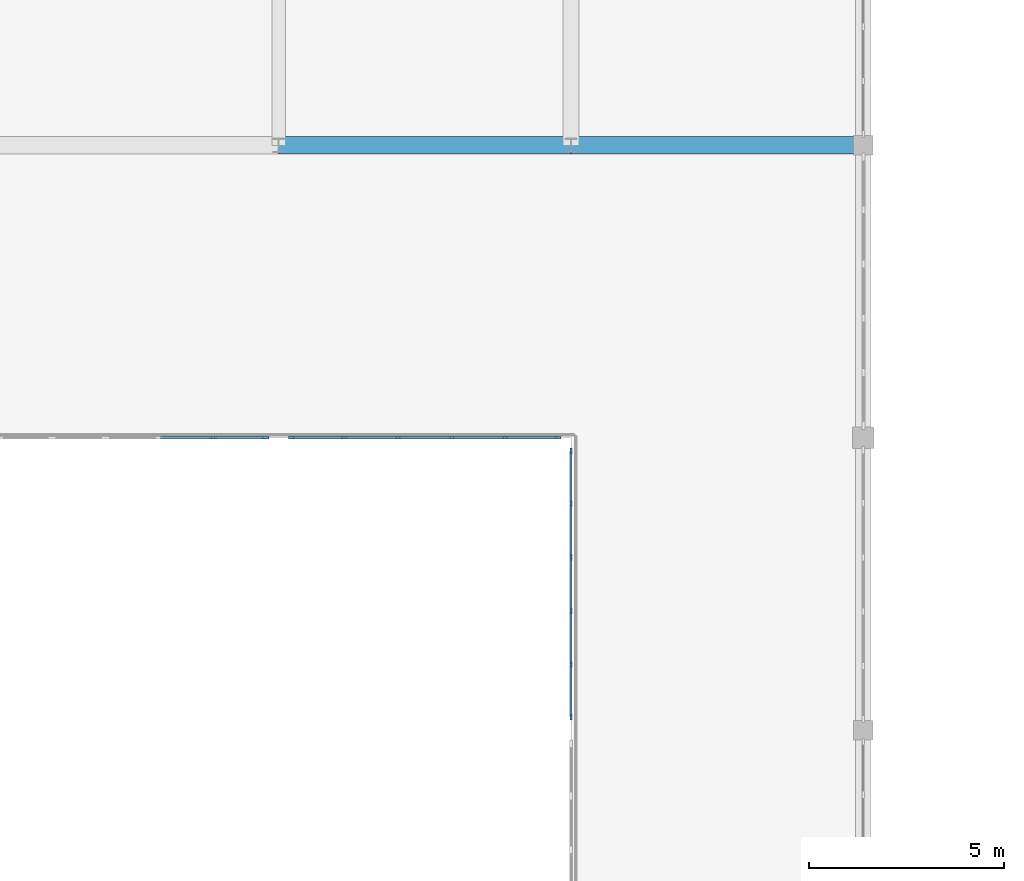
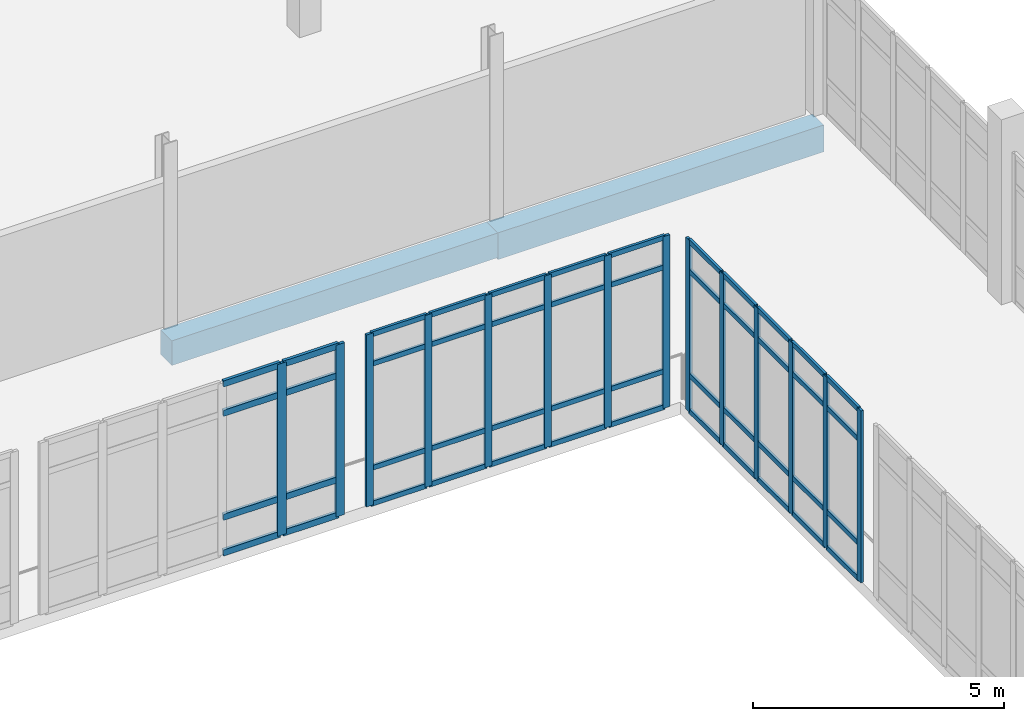
# One storey, part 41 of 128: 62 members, 2 beams, 3 elements without a shape of their own.
"""IFC4 building model written with IfcOpenShell, lengths in metres."""

from ifc_helpers import new_model, si_unit, direction, frame, origin, origin_2d, place, context, subcontext, project, spatial, rectangle, extrude, material, layer, layer_set, material_profile, profile_set, type_object, element, aggregate, save


model = new_model("IFC4")

# Units and contexts
model_context = context("Model", 3, precision=1e-05, world=origin(), true_north=direction((0.0, 1.0)))
body_context = subcontext(model_context, "Body", "Model", "MODEL_VIEW")
ifc_project = project(units=[si_unit("LENGTHUNIT", "METRE"), si_unit("AREAUNIT", "SQUARE_METRE"), si_unit("VOLUMEUNIT", "CUBIC_METRE"), si_unit("PLANEANGLEUNIT", "RADIAN"), si_unit("MASSUNIT", "GRAM", prefix="KILO")], contexts=[model_context])

# Site, building, storey
site_placement = place(None, origin())
site = spatial("IfcSite", under=ifc_project, at=site_placement, CompositionType="ELEMENT")
building_placement = place(site_placement, origin())
building = spatial("IfcBuilding", under=site, at=building_placement, Name="Dalvernix Boulevard General Hospital", CompositionType="ELEMENT")
storey_placement = place(building_placement, frame((0.0, 0.0, 4.800048828125)))
storey = spatial("IfcBuildingStorey", under=building, at=storey_placement, Name="L01", CompositionType="ELEMENT", Elevation=4.800048828125)

# Beams
ifc_material_1 = material(Name="Concrete C35/45", Category="concrete")
ifc_material_profile_1 = material_profile(ifc_material_1, rectangle(XDim=0.449951171875, YDim=0.64990234375, at=origin_2d()), Name="RCB 450x650")
ifc_profile_set_1 = profile_set([ifc_material_profile_1], Name="Concrete C35/45")
beam_type_1 = type_object("IfcBeamType", Name="BM-B-03-I", PredefinedType="BEAM", material=ifc_profile_set_1)
beam_1_placement = place(storey_placement, frame((105.0, 61.5, -0.625), z_axis=(1.0, 0.0, 0.0), x_axis=(0.0, 1.0, 0.0)))
element("IfcBeam", 1, at=beam_1_placement, inside=storey, type_object=beam_type_1, Name="L01 E-W girder J:15-16", PredefinedType="BEAM", context=body_context, shape_type="SweptSolid", body=[
    extrude(rectangle(XDim=0.449951171875, YDim=0.64990234375, at=origin_2d()), origin(), (0.0, 0.0, 1.0), 7.5),
])
ifc_material_profile_2 = material_profile(ifc_material_1, rectangle(XDim=0.449951171875, YDim=0.60009765625, at=origin_2d()), Name="RCB 450x600")
ifc_profile_set_2 = profile_set([ifc_material_profile_2], Name="Concrete C35/45")
beam_type_2 = type_object("IfcBeamType", Name="BM-B-04-I", PredefinedType="BEAM", material=ifc_profile_set_2)
beam_2_placement = place(storey_placement, frame((97.5, 61.5, -0.60009765625), z_axis=(1.0, 0.0, 0.0), x_axis=(0.0, 1.0, 0.0)))
element("IfcBeam", 2, at=beam_2_placement, inside=storey, type_object=beam_type_2, Name="L01 E-W girder J:14-15", PredefinedType="BEAM", context=body_context, shape_type="SweptSolid", body=[
    extrude(rectangle(XDim=0.449951171875, YDim=0.60009765625, at=origin_2d()), origin(), (0.0, 0.0, 1.0), 7.5),
])

# Curtain wall, members
ifc_material_2 = material(Name="Thermally broken aluminium and solar-control glass curtain wall", Category="aluminium")
ifc_layer_1 = layer(ifc_material_2, 0.159912109375)
ifc_layer_set_1 = layer_set([ifc_layer_1], Name="Thermally broken aluminium and solar-control glass curtain wall (CW-CW-A-69x42)")
curtain_wall_type_1 = type_object("IfcCurtainWallType", Name="CW-CW-A-69x42", PredefinedType="USERDEFINED", material=ifc_layer_set_1)
curtain_wall_1_placement = place(storey_placement, origin())
curtain_wall_1 = element("IfcCurtainWall", 3, at=curtain_wall_1_placement, inside=storey, type_object=curtain_wall_type_1, Name="L01 curtain wall CW-A-69x42 13-7", ObjectType="GLAZED FACADE", PredefinedType="USERDEFINED")
ifc_material_3 = material(Name="Aluminium EN AW-6060", Category="aluminium")
ifc_material_profile_3 = material_profile(ifc_material_3, rectangle(XDim=0.06005859375, YDim=0.159912109375, at=origin_2d()), Name="ALU MULL 60x160")
ifc_profile_set_3 = profile_set([ifc_material_profile_3], Name="Aluminium EN AW-6060")
member_type_1 = type_object("IfcMemberType", Name="MEM-CW-M1", PredefinedType="MULLION", material=ifc_profile_set_3)
member_1_placement = place(storey_placement, frame((104.659912109375, 54.0, 0.0), z_axis=(0.0, 0.0, 1.0), x_axis=(0.0, -1.0, 0.0)))
member_1 = element("IfcMember", 4, at=member_1_placement, type_object=member_type_1, Name="CW-A-69x42 mullion 1", PredefinedType="MULLION", context=body_context, shape_type="SweptSolid", body=[
    extrude(rectangle(XDim=0.06005859375, YDim=0.159912109375, at=origin_2d()), origin(), (0.0, 0.0, 1.0), 4.179931640625),
])
member_2_placement = place(storey_placement, frame((103.31396484375, 54.0, 0.0), z_axis=(0.0, 0.0, 1.0), x_axis=(0.0, -1.0, 0.0)))
member_2 = element("IfcMember", 5, at=member_2_placement, type_object=member_type_1, Name="CW-A-69x42 mullion 2", PredefinedType="MULLION", context=body_context, shape_type="SweptSolid", body=[
    extrude(rectangle(XDim=0.06005859375, YDim=0.159912109375, at=origin_2d()), origin(), (0.0, 0.0, 1.0), 4.179931640625),
])
member_3_placement = place(storey_placement, frame((101.93798828125, 54.0, 0.0), z_axis=(0.0, 0.0, 1.0), x_axis=(0.0, -1.0, 0.0)))
member_3 = element("IfcMember", 6, at=member_3_placement, type_object=member_type_1, Name="CW-A-69x42 mullion 3", PredefinedType="MULLION", context=body_context, shape_type="SweptSolid", body=[
    extrude(rectangle(XDim=0.06005859375, YDim=0.159912109375, at=origin_2d()), origin(), (0.0, 0.0, 1.0), 4.179931640625),
])
member_4_placement = place(storey_placement, frame((100.56201171875, 54.0, 0.0), z_axis=(0.0, 0.0, 1.0), x_axis=(0.0, -1.0, 0.0)))
member_4 = element("IfcMember", 7, at=member_4_placement, type_object=member_type_1, Name="CW-A-69x42 mullion 4", PredefinedType="MULLION", context=body_context, shape_type="SweptSolid", body=[
    extrude(rectangle(XDim=0.06005859375, YDim=0.159912109375, at=origin_2d()), origin(), (0.0, 0.0, 1.0), 4.179931640625),
])
member_5_placement = place(storey_placement, frame((99.18603515625, 54.0, 0.0), z_axis=(0.0, 0.0, 1.0), x_axis=(0.0, -1.0, 0.0)))
member_5 = element("IfcMember", 8, at=member_5_placement, type_object=member_type_1, Name="CW-A-69x42 mullion 5", PredefinedType="MULLION", context=body_context, shape_type="SweptSolid", body=[
    extrude(rectangle(XDim=0.06005859375, YDim=0.159912109375, at=origin_2d()), origin(), (0.0, 0.0, 1.0), 4.179931640625),
])
member_6_placement = place(storey_placement, frame((97.840087890625, 54.0, 0.0), z_axis=(0.0, 0.0, 1.0), x_axis=(0.0, -1.0, 0.0)))
member_6 = element("IfcMember", 9, at=member_6_placement, type_object=member_type_1, Name="CW-A-69x42 mullion 6", PredefinedType="MULLION", context=body_context, shape_type="SweptSolid", body=[
    extrude(rectangle(XDim=0.06005859375, YDim=0.159912109375, at=origin_2d()), origin(), (0.0, 0.0, 1.0), 4.179931640625),
])

curtain_wall_2_placement = place(storey_placement, origin())
curtain_wall_2 = element("IfcCurtainWall", 10, at=curtain_wall_2_placement, inside=storey, type_object=curtain_wall_type_1, Name="L01 curtain wall CW-A-69x42 14-6", ObjectType="GLAZED FACADE", PredefinedType="USERDEFINED")
member_7_placement = place(storey_placement, frame((105.0, 46.840087890625, 0.0), z_axis=(0.0, 0.0, 1.0), x_axis=(-1.0, 0.0, 0.0)))
member_7 = element("IfcMember", 11, at=member_7_placement, type_object=member_type_1, Name="CW-A-69x42 mullion 1", PredefinedType="MULLION", context=body_context, shape_type="SweptSolid", body=[
    extrude(rectangle(XDim=0.06005859375, YDim=0.159912109375, at=origin_2d()), origin(), (0.0, 0.0, 1.0), 4.179931640625),
])
member_8_placement = place(storey_placement, frame((105.0, 48.18603515625, 0.0), z_axis=(0.0, 0.0, 1.0), x_axis=(-1.0, 0.0, 0.0)))
member_8 = element("IfcMember", 12, at=member_8_placement, type_object=member_type_1, Name="CW-A-69x42 mullion 2", PredefinedType="MULLION", context=body_context, shape_type="SweptSolid", body=[
    extrude(rectangle(XDim=0.06005859375, YDim=0.159912109375, at=origin_2d()), origin(), (0.0, 0.0, 1.0), 4.179931640625),
])
member_9_placement = place(storey_placement, frame((105.0, 49.56201171875, 0.0), z_axis=(0.0, 0.0, 1.0), x_axis=(-1.0, 0.0, 0.0)))
member_9 = element("IfcMember", 13, at=member_9_placement, type_object=member_type_1, Name="CW-A-69x42 mullion 3", PredefinedType="MULLION", context=body_context, shape_type="SweptSolid", body=[
    extrude(rectangle(XDim=0.06005859375, YDim=0.159912109375, at=origin_2d()), origin(), (0.0, 0.0, 1.0), 4.179931640625),
])
member_10_placement = place(storey_placement, frame((105.0, 50.93798828125, 0.0), z_axis=(0.0, 0.0, 1.0), x_axis=(-1.0, 0.0, 0.0)))
member_10 = element("IfcMember", 14, at=member_10_placement, type_object=member_type_1, Name="CW-A-69x42 mullion 4", PredefinedType="MULLION", context=body_context, shape_type="SweptSolid", body=[
    extrude(rectangle(XDim=0.06005859375, YDim=0.159912109375, at=origin_2d()), origin(), (0.0, 0.0, 1.0), 4.179931640625),
])
member_11_placement = place(storey_placement, frame((105.0, 52.31396484375, 0.0), z_axis=(0.0, 0.0, 1.0), x_axis=(-1.0, 0.0, 0.0)))
member_11 = element("IfcMember", 15, at=member_11_placement, type_object=member_type_1, Name="CW-A-69x42 mullion 5", PredefinedType="MULLION", context=body_context, shape_type="SweptSolid", body=[
    extrude(rectangle(XDim=0.06005859375, YDim=0.159912109375, at=origin_2d()), origin(), (0.0, 0.0, 1.0), 4.179931640625),
])
member_12_placement = place(storey_placement, frame((105.0, 53.659912109375, 0.0), z_axis=(0.0, 0.0, 1.0), x_axis=(-1.0, 0.0, 0.0)))
member_12 = element("IfcMember", 16, at=member_12_placement, type_object=member_type_1, Name="CW-A-69x42 mullion 6", PredefinedType="MULLION", context=body_context, shape_type="SweptSolid", body=[
    extrude(rectangle(XDim=0.06005859375, YDim=0.159912109375, at=origin_2d()), origin(), (0.0, 0.0, 1.0), 4.179931640625),
])

ifc_layer_2 = layer(ifc_material_2, 0.199951171875)
ifc_layer_set_2 = layer_set([ifc_layer_2], Name="Thermally broken aluminium and solar-control glass curtain wall (CW-CW-C-69x42)")
curtain_wall_type_2 = type_object("IfcCurtainWallType", Name="CW-CW-C-69x42", PredefinedType="USERDEFINED", material=ifc_layer_set_2)
curtain_wall_3_placement = place(storey_placement, origin())
curtain_wall_3 = element("IfcCurtainWall", 17, at=curtain_wall_3_placement, inside=storey, type_object=curtain_wall_type_2, Name="L01 curtain wall CW-C-69x42 12-7", ObjectType="GLAZED FACADE", PredefinedType="USERDEFINED")
ifc_material_profile_4 = material_profile(ifc_material_3, rectangle(XDim=0.070068359375, YDim=0.199951171875, at=origin_2d()), Name="ALU MULL 70x200")
ifc_profile_set_4 = profile_set([ifc_material_profile_4], Name="Aluminium EN AW-6060")
member_type_2 = type_object("IfcMemberType", Name="MEM-CW-M3", PredefinedType="MULLION", material=ifc_profile_set_4)
member_13_placement = place(storey_placement, frame((97.155029296875, 54.0, 0.0), z_axis=(0.0, 0.0, 1.0), x_axis=(0.0, -1.0, 0.0)))
member_13 = element("IfcMember", 18, at=member_13_placement, type_object=member_type_2, Name="CW-C-69x42 mullion 1", PredefinedType="MULLION", context=body_context, shape_type="SweptSolid", body=[
    extrude(rectangle(XDim=0.070068359375, YDim=0.199951171875, at=origin_2d()), origin(), (0.0, 0.0, 1.0), 4.179931640625),
])
member_14_placement = place(storey_placement, frame((95.81396484375, 54.0, 0.0), z_axis=(0.0, 0.0, 1.0), x_axis=(0.0, -1.0, 0.0)))
member_14 = element("IfcMember", 19, at=member_14_placement, type_object=member_type_2, Name="CW-C-69x42 mullion 2", PredefinedType="MULLION", context=body_context, shape_type="SweptSolid", body=[
    extrude(rectangle(XDim=0.070068359375, YDim=0.199951171875, at=origin_2d()), origin(), (0.0, 0.0, 1.0), 4.179931640625),
])

# Member
ifc_material_profile_5 = material_profile(ifc_material_3, rectangle(XDim=0.06005859375, YDim=0.1201171875, at=origin_2d()), Name="ALU TRAN 60x120")
ifc_profile_set_5 = profile_set([ifc_material_profile_5], Name="Aluminium EN AW-6060")
member_type_3 = type_object("IfcMemberType", Name="MEM-CW-T1", PredefinedType="USERDEFINED", material=ifc_profile_set_5)
member_15_placement = place(storey_placement, frame((104.6298828125, 54.0, 0.030029296875), z_axis=(-1.0, 0.0, 0.0), x_axis=(0.0, -1.0, 0.0)))
member_15 = element("IfcMember", 20, at=member_15_placement, type_object=member_type_3, Name="CW-A-69x42 transom 1.1", ObjectType="TRANSOM", PredefinedType="USERDEFINED", context=body_context, shape_type="SweptSolid", body=[
    extrude(rectangle(XDim=0.06005859375, YDim=0.1201171875, at=origin_2d()), origin(), (0.0, 0.0, 1.0), 1.285888671875),
])

member_16_placement = place(storey_placement, frame((104.6298828125, 54.0, 0.89990234375), z_axis=(-1.0, 0.0, 0.0), x_axis=(0.0, -1.0, 0.0)))
member_16 = element("IfcMember", 21, at=member_16_placement, type_object=member_type_3, Name="CW-A-69x42 transom 1.2", ObjectType="TRANSOM", PredefinedType="USERDEFINED", context=body_context, shape_type="SweptSolid", body=[
    extrude(rectangle(XDim=0.06005859375, YDim=0.1201171875, at=origin_2d()), origin(), (0.0, 0.0, 1.0), 1.285888671875),
])

member_17_placement = place(storey_placement, frame((104.6298828125, 54.0, 3.429931640625), z_axis=(-1.0, 0.0, 0.0), x_axis=(0.0, -1.0, 0.0)))
member_17 = element("IfcMember", 22, at=member_17_placement, type_object=member_type_3, Name="CW-A-69x42 transom 1.3", ObjectType="TRANSOM", PredefinedType="USERDEFINED", context=body_context, shape_type="SweptSolid", body=[
    extrude(rectangle(XDim=0.06005859375, YDim=0.1201171875, at=origin_2d()), origin(), (0.0, 0.0, 1.0), 1.285888671875),
])

member_18_placement = place(storey_placement, frame((104.6298828125, 54.0, 4.14990234375), z_axis=(-1.0, 0.0, 0.0), x_axis=(0.0, -1.0, 0.0)))
member_18 = element("IfcMember", 23, at=member_18_placement, type_object=member_type_3, Name="CW-A-69x42 transom 1.4", ObjectType="TRANSOM", PredefinedType="USERDEFINED", context=body_context, shape_type="SweptSolid", body=[
    extrude(rectangle(XDim=0.06005859375, YDim=0.1201171875, at=origin_2d()), origin(), (0.0, 0.0, 1.0), 1.285888671875),
])

member_19_placement = place(storey_placement, frame((103.283935546875, 54.0, 0.030029296875), z_axis=(-1.0, 0.0, 0.0), x_axis=(0.0, -1.0, 0.0)))
member_19 = element("IfcMember", 24, at=member_19_placement, type_object=member_type_3, Name="CW-A-69x42 transom 2.1", ObjectType="TRANSOM", PredefinedType="USERDEFINED", context=body_context, shape_type="SweptSolid", body=[
    extrude(rectangle(XDim=0.06005859375, YDim=0.1201171875, at=origin_2d()), origin(), (0.0, 0.0, 1.0), 1.31591796875),
])

member_20_placement = place(storey_placement, frame((103.283935546875, 54.0, 0.89990234375), z_axis=(-1.0, 0.0, 0.0), x_axis=(0.0, -1.0, 0.0)))
member_20 = element("IfcMember", 25, at=member_20_placement, type_object=member_type_3, Name="CW-A-69x42 transom 2.2", ObjectType="TRANSOM", PredefinedType="USERDEFINED", context=body_context, shape_type="SweptSolid", body=[
    extrude(rectangle(XDim=0.06005859375, YDim=0.1201171875, at=origin_2d()), origin(), (0.0, 0.0, 1.0), 1.31591796875),
])

member_21_placement = place(storey_placement, frame((103.283935546875, 54.0, 3.429931640625), z_axis=(-1.0, 0.0, 0.0), x_axis=(0.0, -1.0, 0.0)))
member_21 = element("IfcMember", 26, at=member_21_placement, type_object=member_type_3, Name="CW-A-69x42 transom 2.3", ObjectType="TRANSOM", PredefinedType="USERDEFINED", context=body_context, shape_type="SweptSolid", body=[
    extrude(rectangle(XDim=0.06005859375, YDim=0.1201171875, at=origin_2d()), origin(), (0.0, 0.0, 1.0), 1.31591796875),
])

member_22_placement = place(storey_placement, frame((103.283935546875, 54.0, 4.14990234375), z_axis=(-1.0, 0.0, 0.0), x_axis=(0.0, -1.0, 0.0)))
member_22 = element("IfcMember", 27, at=member_22_placement, type_object=member_type_3, Name="CW-A-69x42 transom 2.4", ObjectType="TRANSOM", PredefinedType="USERDEFINED", context=body_context, shape_type="SweptSolid", body=[
    extrude(rectangle(XDim=0.06005859375, YDim=0.1201171875, at=origin_2d()), origin(), (0.0, 0.0, 1.0), 1.31591796875),
])

member_23_placement = place(storey_placement, frame((101.907958984375, 54.0, 0.030029296875), z_axis=(-1.0, 0.0, 0.0), x_axis=(0.0, -1.0, 0.0)))
member_23 = element("IfcMember", 28, at=member_23_placement, type_object=member_type_3, Name="CW-A-69x42 transom 3.1", ObjectType="TRANSOM", PredefinedType="USERDEFINED", context=body_context, shape_type="SweptSolid", body=[
    extrude(rectangle(XDim=0.06005859375, YDim=0.1201171875, at=origin_2d()), origin(), (0.0, 0.0, 1.0), 1.31591796875),
])

member_24_placement = place(storey_placement, frame((101.907958984375, 54.0, 0.89990234375), z_axis=(-1.0, 0.0, 0.0), x_axis=(0.0, -1.0, 0.0)))
member_24 = element("IfcMember", 29, at=member_24_placement, type_object=member_type_3, Name="CW-A-69x42 transom 3.2", ObjectType="TRANSOM", PredefinedType="USERDEFINED", context=body_context, shape_type="SweptSolid", body=[
    extrude(rectangle(XDim=0.06005859375, YDim=0.1201171875, at=origin_2d()), origin(), (0.0, 0.0, 1.0), 1.31591796875),
])

member_25_placement = place(storey_placement, frame((101.907958984375, 54.0, 3.429931640625), z_axis=(-1.0, 0.0, 0.0), x_axis=(0.0, -1.0, 0.0)))
member_25 = element("IfcMember", 30, at=member_25_placement, type_object=member_type_3, Name="CW-A-69x42 transom 3.3", ObjectType="TRANSOM", PredefinedType="USERDEFINED", context=body_context, shape_type="SweptSolid", body=[
    extrude(rectangle(XDim=0.06005859375, YDim=0.1201171875, at=origin_2d()), origin(), (0.0, 0.0, 1.0), 1.31591796875),
])

member_26_placement = place(storey_placement, frame((101.907958984375, 54.0, 4.14990234375), z_axis=(-1.0, 0.0, 0.0), x_axis=(0.0, -1.0, 0.0)))
member_26 = element("IfcMember", 31, at=member_26_placement, type_object=member_type_3, Name="CW-A-69x42 transom 3.4", ObjectType="TRANSOM", PredefinedType="USERDEFINED", context=body_context, shape_type="SweptSolid", body=[
    extrude(rectangle(XDim=0.06005859375, YDim=0.1201171875, at=origin_2d()), origin(), (0.0, 0.0, 1.0), 1.31591796875),
])

member_27_placement = place(storey_placement, frame((100.531982421875, 54.0, 0.030029296875), z_axis=(-1.0, 0.0, 0.0), x_axis=(0.0, -1.0, 0.0)))
member_27 = element("IfcMember", 32, at=member_27_placement, type_object=member_type_3, Name="CW-A-69x42 transom 4.1", ObjectType="TRANSOM", PredefinedType="USERDEFINED", context=body_context, shape_type="SweptSolid", body=[
    extrude(rectangle(XDim=0.06005859375, YDim=0.1201171875, at=origin_2d()), origin(), (0.0, 0.0, 1.0), 1.31591796875),
])

member_28_placement = place(storey_placement, frame((100.531982421875, 54.0, 0.89990234375), z_axis=(-1.0, 0.0, 0.0), x_axis=(0.0, -1.0, 0.0)))
member_28 = element("IfcMember", 33, at=member_28_placement, type_object=member_type_3, Name="CW-A-69x42 transom 4.2", ObjectType="TRANSOM", PredefinedType="USERDEFINED", context=body_context, shape_type="SweptSolid", body=[
    extrude(rectangle(XDim=0.06005859375, YDim=0.1201171875, at=origin_2d()), origin(), (0.0, 0.0, 1.0), 1.31591796875),
])

member_29_placement = place(storey_placement, frame((100.531982421875, 54.0, 3.429931640625), z_axis=(-1.0, 0.0, 0.0), x_axis=(0.0, -1.0, 0.0)))
member_29 = element("IfcMember", 34, at=member_29_placement, type_object=member_type_3, Name="CW-A-69x42 transom 4.3", ObjectType="TRANSOM", PredefinedType="USERDEFINED", context=body_context, shape_type="SweptSolid", body=[
    extrude(rectangle(XDim=0.06005859375, YDim=0.1201171875, at=origin_2d()), origin(), (0.0, 0.0, 1.0), 1.31591796875),
])

member_30_placement = place(storey_placement, frame((100.531982421875, 54.0, 4.14990234375), z_axis=(-1.0, 0.0, 0.0), x_axis=(0.0, -1.0, 0.0)))
member_30 = element("IfcMember", 35, at=member_30_placement, type_object=member_type_3, Name="CW-A-69x42 transom 4.4", ObjectType="TRANSOM", PredefinedType="USERDEFINED", context=body_context, shape_type="SweptSolid", body=[
    extrude(rectangle(XDim=0.06005859375, YDim=0.1201171875, at=origin_2d()), origin(), (0.0, 0.0, 1.0), 1.31591796875),
])

member_31_placement = place(storey_placement, frame((99.156005859375, 54.0, 0.030029296875), z_axis=(-1.0, 0.0, 0.0), x_axis=(0.0, -1.0, 0.0)))
member_31 = element("IfcMember", 36, at=member_31_placement, type_object=member_type_3, Name="CW-A-69x42 transom 5.1", ObjectType="TRANSOM", PredefinedType="USERDEFINED", context=body_context, shape_type="SweptSolid", body=[
    extrude(rectangle(XDim=0.06005859375, YDim=0.1201171875, at=origin_2d()), origin(), (0.0, 0.0, 1.0), 1.285888671875),
])

member_32_placement = place(storey_placement, frame((99.156005859375, 54.0, 0.89990234375), z_axis=(-1.0, 0.0, 0.0), x_axis=(0.0, -1.0, 0.0)))
member_32 = element("IfcMember", 37, at=member_32_placement, type_object=member_type_3, Name="CW-A-69x42 transom 5.2", ObjectType="TRANSOM", PredefinedType="USERDEFINED", context=body_context, shape_type="SweptSolid", body=[
    extrude(rectangle(XDim=0.06005859375, YDim=0.1201171875, at=origin_2d()), origin(), (0.0, 0.0, 1.0), 1.285888671875),
])

member_33_placement = place(storey_placement, frame((99.156005859375, 54.0, 3.429931640625), z_axis=(-1.0, 0.0, 0.0), x_axis=(0.0, -1.0, 0.0)))
member_33 = element("IfcMember", 38, at=member_33_placement, type_object=member_type_3, Name="CW-A-69x42 transom 5.3", ObjectType="TRANSOM", PredefinedType="USERDEFINED", context=body_context, shape_type="SweptSolid", body=[
    extrude(rectangle(XDim=0.06005859375, YDim=0.1201171875, at=origin_2d()), origin(), (0.0, 0.0, 1.0), 1.285888671875),
])

member_34_placement = place(storey_placement, frame((99.156005859375, 54.0, 4.14990234375), z_axis=(-1.0, 0.0, 0.0), x_axis=(0.0, -1.0, 0.0)))
member_34 = element("IfcMember", 39, at=member_34_placement, type_object=member_type_3, Name="CW-A-69x42 transom 5.4", ObjectType="TRANSOM", PredefinedType="USERDEFINED", context=body_context, shape_type="SweptSolid", body=[
    extrude(rectangle(XDim=0.06005859375, YDim=0.1201171875, at=origin_2d()), origin(), (0.0, 0.0, 1.0), 1.285888671875),
])

aggregate(curtain_wall_1, [member_1, member_2, member_3, member_4, member_5, member_6, member_15, member_16, member_17, member_18, member_19, member_20, member_21, member_22, member_23, member_24, member_25, member_26, member_27, member_28, member_29, member_30, member_31, member_32, member_33, member_34])

member_35_placement = place(storey_placement, frame((105.0, 46.8701171875, 0.030029296875), z_axis=(0.0, 1.0, 0.0), x_axis=(-1.0, 0.0, 0.0)))
member_35 = element("IfcMember", 40, at=member_35_placement, type_object=member_type_3, Name="CW-A-69x42 transom 1.1", ObjectType="TRANSOM", PredefinedType="USERDEFINED", context=body_context, shape_type="SweptSolid", body=[
    extrude(rectangle(XDim=0.06005859375, YDim=0.1201171875, at=origin_2d()), origin(), (0.0, 0.0, 1.0), 1.285888671875),
])

member_36_placement = place(storey_placement, frame((105.0, 46.8701171875, 0.89990234375), z_axis=(0.0, 1.0, 0.0), x_axis=(-1.0, 0.0, 0.0)))
member_36 = element("IfcMember", 41, at=member_36_placement, type_object=member_type_3, Name="CW-A-69x42 transom 1.2", ObjectType="TRANSOM", PredefinedType="USERDEFINED", context=body_context, shape_type="SweptSolid", body=[
    extrude(rectangle(XDim=0.06005859375, YDim=0.1201171875, at=origin_2d()), origin(), (0.0, 0.0, 1.0), 1.285888671875),
])

member_37_placement = place(storey_placement, frame((105.0, 46.8701171875, 3.429931640625), z_axis=(0.0, 1.0, 0.0), x_axis=(-1.0, 0.0, 0.0)))
member_37 = element("IfcMember", 42, at=member_37_placement, type_object=member_type_3, Name="CW-A-69x42 transom 1.3", ObjectType="TRANSOM", PredefinedType="USERDEFINED", context=body_context, shape_type="SweptSolid", body=[
    extrude(rectangle(XDim=0.06005859375, YDim=0.1201171875, at=origin_2d()), origin(), (0.0, 0.0, 1.0), 1.285888671875),
])

member_38_placement = place(storey_placement, frame((105.0, 46.8701171875, 4.14990234375), z_axis=(0.0, 1.0, 0.0), x_axis=(-1.0, 0.0, 0.0)))
member_38 = element("IfcMember", 43, at=member_38_placement, type_object=member_type_3, Name="CW-A-69x42 transom 1.4", ObjectType="TRANSOM", PredefinedType="USERDEFINED", context=body_context, shape_type="SweptSolid", body=[
    extrude(rectangle(XDim=0.06005859375, YDim=0.1201171875, at=origin_2d()), origin(), (0.0, 0.0, 1.0), 1.285888671875),
])

member_39_placement = place(storey_placement, frame((105.0, 48.216064453125, 0.030029296875), z_axis=(0.0, 1.0, 0.0), x_axis=(-1.0, 0.0, 0.0)))
member_39 = element("IfcMember", 44, at=member_39_placement, type_object=member_type_3, Name="CW-A-69x42 transom 2.1", ObjectType="TRANSOM", PredefinedType="USERDEFINED", context=body_context, shape_type="SweptSolid", body=[
    extrude(rectangle(XDim=0.06005859375, YDim=0.1201171875, at=origin_2d()), origin(), (0.0, 0.0, 1.0), 1.31591796875),
])

member_40_placement = place(storey_placement, frame((105.0, 48.216064453125, 0.89990234375), z_axis=(0.0, 1.0, 0.0), x_axis=(-1.0, 0.0, 0.0)))
member_40 = element("IfcMember", 45, at=member_40_placement, type_object=member_type_3, Name="CW-A-69x42 transom 2.2", ObjectType="TRANSOM", PredefinedType="USERDEFINED", context=body_context, shape_type="SweptSolid", body=[
    extrude(rectangle(XDim=0.06005859375, YDim=0.1201171875, at=origin_2d()), origin(), (0.0, 0.0, 1.0), 1.31591796875),
])

member_41_placement = place(storey_placement, frame((105.0, 48.216064453125, 3.429931640625), z_axis=(0.0, 1.0, 0.0), x_axis=(-1.0, 0.0, 0.0)))
member_41 = element("IfcMember", 46, at=member_41_placement, type_object=member_type_3, Name="CW-A-69x42 transom 2.3", ObjectType="TRANSOM", PredefinedType="USERDEFINED", context=body_context, shape_type="SweptSolid", body=[
    extrude(rectangle(XDim=0.06005859375, YDim=0.1201171875, at=origin_2d()), origin(), (0.0, 0.0, 1.0), 1.31591796875),
])

member_42_placement = place(storey_placement, frame((105.0, 48.216064453125, 4.14990234375), z_axis=(0.0, 1.0, 0.0), x_axis=(-1.0, 0.0, 0.0)))
member_42 = element("IfcMember", 47, at=member_42_placement, type_object=member_type_3, Name="CW-A-69x42 transom 2.4", ObjectType="TRANSOM", PredefinedType="USERDEFINED", context=body_context, shape_type="SweptSolid", body=[
    extrude(rectangle(XDim=0.06005859375, YDim=0.1201171875, at=origin_2d()), origin(), (0.0, 0.0, 1.0), 1.31591796875),
])

member_43_placement = place(storey_placement, frame((105.0, 49.592041015625, 0.030029296875), z_axis=(0.0, 1.0, 0.0), x_axis=(-1.0, 0.0, 0.0)))
member_43 = element("IfcMember", 48, at=member_43_placement, type_object=member_type_3, Name="CW-A-69x42 transom 3.1", ObjectType="TRANSOM", PredefinedType="USERDEFINED", context=body_context, shape_type="SweptSolid", body=[
    extrude(rectangle(XDim=0.06005859375, YDim=0.1201171875, at=origin_2d()), origin(), (0.0, 0.0, 1.0), 1.31591796875),
])

member_44_placement = place(storey_placement, frame((105.0, 49.592041015625, 0.89990234375), z_axis=(0.0, 1.0, 0.0), x_axis=(-1.0, 0.0, 0.0)))
member_44 = element("IfcMember", 49, at=member_44_placement, type_object=member_type_3, Name="CW-A-69x42 transom 3.2", ObjectType="TRANSOM", PredefinedType="USERDEFINED", context=body_context, shape_type="SweptSolid", body=[
    extrude(rectangle(XDim=0.06005859375, YDim=0.1201171875, at=origin_2d()), origin(), (0.0, 0.0, 1.0), 1.31591796875),
])

member_45_placement = place(storey_placement, frame((105.0, 49.592041015625, 3.429931640625), z_axis=(0.0, 1.0, 0.0), x_axis=(-1.0, 0.0, 0.0)))
member_45 = element("IfcMember", 50, at=member_45_placement, type_object=member_type_3, Name="CW-A-69x42 transom 3.3", ObjectType="TRANSOM", PredefinedType="USERDEFINED", context=body_context, shape_type="SweptSolid", body=[
    extrude(rectangle(XDim=0.06005859375, YDim=0.1201171875, at=origin_2d()), origin(), (0.0, 0.0, 1.0), 1.31591796875),
])

member_46_placement = place(storey_placement, frame((105.0, 49.592041015625, 4.14990234375), z_axis=(0.0, 1.0, 0.0), x_axis=(-1.0, 0.0, 0.0)))
member_46 = element("IfcMember", 51, at=member_46_placement, type_object=member_type_3, Name="CW-A-69x42 transom 3.4", ObjectType="TRANSOM", PredefinedType="USERDEFINED", context=body_context, shape_type="SweptSolid", body=[
    extrude(rectangle(XDim=0.06005859375, YDim=0.1201171875, at=origin_2d()), origin(), (0.0, 0.0, 1.0), 1.31591796875),
])

member_47_placement = place(storey_placement, frame((105.0, 50.968017578125, 0.030029296875), z_axis=(0.0, 1.0, 0.0), x_axis=(-1.0, 0.0, 0.0)))
member_47 = element("IfcMember", 52, at=member_47_placement, type_object=member_type_3, Name="CW-A-69x42 transom 4.1", ObjectType="TRANSOM", PredefinedType="USERDEFINED", context=body_context, shape_type="SweptSolid", body=[
    extrude(rectangle(XDim=0.06005859375, YDim=0.1201171875, at=origin_2d()), origin(), (0.0, 0.0, 1.0), 1.31591796875),
])

member_48_placement = place(storey_placement, frame((105.0, 50.968017578125, 0.89990234375), z_axis=(0.0, 1.0, 0.0), x_axis=(-1.0, 0.0, 0.0)))
member_48 = element("IfcMember", 53, at=member_48_placement, type_object=member_type_3, Name="CW-A-69x42 transom 4.2", ObjectType="TRANSOM", PredefinedType="USERDEFINED", context=body_context, shape_type="SweptSolid", body=[
    extrude(rectangle(XDim=0.06005859375, YDim=0.1201171875, at=origin_2d()), origin(), (0.0, 0.0, 1.0), 1.31591796875),
])

member_49_placement = place(storey_placement, frame((105.0, 50.968017578125, 3.429931640625), z_axis=(0.0, 1.0, 0.0), x_axis=(-1.0, 0.0, 0.0)))
member_49 = element("IfcMember", 54, at=member_49_placement, type_object=member_type_3, Name="CW-A-69x42 transom 4.3", ObjectType="TRANSOM", PredefinedType="USERDEFINED", context=body_context, shape_type="SweptSolid", body=[
    extrude(rectangle(XDim=0.06005859375, YDim=0.1201171875, at=origin_2d()), origin(), (0.0, 0.0, 1.0), 1.31591796875),
])

member_50_placement = place(storey_placement, frame((105.0, 50.968017578125, 4.14990234375), z_axis=(0.0, 1.0, 0.0), x_axis=(-1.0, 0.0, 0.0)))
member_50 = element("IfcMember", 55, at=member_50_placement, type_object=member_type_3, Name="CW-A-69x42 transom 4.4", ObjectType="TRANSOM", PredefinedType="USERDEFINED", context=body_context, shape_type="SweptSolid", body=[
    extrude(rectangle(XDim=0.06005859375, YDim=0.1201171875, at=origin_2d()), origin(), (0.0, 0.0, 1.0), 1.31591796875),
])

member_51_placement = place(storey_placement, frame((105.0, 52.343994140625, 0.030029296875), z_axis=(0.0, 1.0, 0.0), x_axis=(-1.0, 0.0, 0.0)))
member_51 = element("IfcMember", 56, at=member_51_placement, type_object=member_type_3, Name="CW-A-69x42 transom 5.1", ObjectType="TRANSOM", PredefinedType="USERDEFINED", context=body_context, shape_type="SweptSolid", body=[
    extrude(rectangle(XDim=0.06005859375, YDim=0.1201171875, at=origin_2d()), origin(), (0.0, 0.0, 1.0), 1.285888671875),
])

member_52_placement = place(storey_placement, frame((105.0, 52.343994140625, 0.89990234375), z_axis=(0.0, 1.0, 0.0), x_axis=(-1.0, 0.0, 0.0)))
member_52 = element("IfcMember", 57, at=member_52_placement, type_object=member_type_3, Name="CW-A-69x42 transom 5.2", ObjectType="TRANSOM", PredefinedType="USERDEFINED", context=body_context, shape_type="SweptSolid", body=[
    extrude(rectangle(XDim=0.06005859375, YDim=0.1201171875, at=origin_2d()), origin(), (0.0, 0.0, 1.0), 1.285888671875),
])

member_53_placement = place(storey_placement, frame((105.0, 52.343994140625, 3.429931640625), z_axis=(0.0, 1.0, 0.0), x_axis=(-1.0, 0.0, 0.0)))
member_53 = element("IfcMember", 58, at=member_53_placement, type_object=member_type_3, Name="CW-A-69x42 transom 5.3", ObjectType="TRANSOM", PredefinedType="USERDEFINED", context=body_context, shape_type="SweptSolid", body=[
    extrude(rectangle(XDim=0.06005859375, YDim=0.1201171875, at=origin_2d()), origin(), (0.0, 0.0, 1.0), 1.285888671875),
])

member_54_placement = place(storey_placement, frame((105.0, 52.343994140625, 4.14990234375), z_axis=(0.0, 1.0, 0.0), x_axis=(-1.0, 0.0, 0.0)))
member_54 = element("IfcMember", 59, at=member_54_placement, type_object=member_type_3, Name="CW-A-69x42 transom 5.4", ObjectType="TRANSOM", PredefinedType="USERDEFINED", context=body_context, shape_type="SweptSolid", body=[
    extrude(rectangle(XDim=0.06005859375, YDim=0.1201171875, at=origin_2d()), origin(), (0.0, 0.0, 1.0), 1.285888671875),
])

aggregate(curtain_wall_2, [member_7, member_8, member_9, member_10, member_11, member_12, member_35, member_36, member_37, member_38, member_39, member_40, member_41, member_42, member_43, member_44, member_45, member_46, member_47, member_48, member_49, member_50, member_51, member_52, member_53, member_54])

ifc_material_profile_6 = material_profile(ifc_material_3, rectangle(XDim=0.070068359375, YDim=0.14990234375, at=origin_2d()), Name="ALU TRAN 70x150")
ifc_profile_set_6 = profile_set([ifc_material_profile_6], Name="Aluminium EN AW-6060")
member_type_4 = type_object("IfcMemberType", Name="MEM-CW-T3", PredefinedType="USERDEFINED", material=ifc_profile_set_6)
member_55_placement = place(storey_placement, frame((97.1201171875, 54.0, 0.034912109375), z_axis=(-1.0, 0.0, 0.0), x_axis=(0.0, -1.0, 0.0)))
member_55 = element("IfcMember", 60, at=member_55_placement, type_object=member_type_4, Name="CW-C-69x42 transom 1.1", ObjectType="TRANSOM", PredefinedType="USERDEFINED", context=body_context, shape_type="SweptSolid", body=[
    extrude(rectangle(XDim=0.070068359375, YDim=0.14990234375, at=origin_2d()), origin(), (0.0, 0.0, 1.0), 1.27099609375),
])

member_56_placement = place(storey_placement, frame((97.1201171875, 54.0, 0.89990234375), z_axis=(-1.0, 0.0, 0.0), x_axis=(0.0, -1.0, 0.0)))
member_56 = element("IfcMember", 61, at=member_56_placement, type_object=member_type_4, Name="CW-C-69x42 transom 1.2", ObjectType="TRANSOM", PredefinedType="USERDEFINED", context=body_context, shape_type="SweptSolid", body=[
    extrude(rectangle(XDim=0.070068359375, YDim=0.14990234375, at=origin_2d()), origin(), (0.0, 0.0, 1.0), 1.27099609375),
])

member_57_placement = place(storey_placement, frame((97.1201171875, 54.0, 3.429931640625), z_axis=(-1.0, 0.0, 0.0), x_axis=(0.0, -1.0, 0.0)))
member_57 = element("IfcMember", 62, at=member_57_placement, type_object=member_type_4, Name="CW-C-69x42 transom 1.3", ObjectType="TRANSOM", PredefinedType="USERDEFINED", context=body_context, shape_type="SweptSolid", body=[
    extrude(rectangle(XDim=0.070068359375, YDim=0.14990234375, at=origin_2d()), origin(), (0.0, 0.0, 1.0), 1.27099609375),
])

member_58_placement = place(storey_placement, frame((97.1201171875, 54.0, 4.14501953125), z_axis=(-1.0, 0.0, 0.0), x_axis=(0.0, -1.0, 0.0)))
member_58 = element("IfcMember", 63, at=member_58_placement, type_object=member_type_4, Name="CW-C-69x42 transom 1.4", ObjectType="TRANSOM", PredefinedType="USERDEFINED", context=body_context, shape_type="SweptSolid", body=[
    extrude(rectangle(XDim=0.070068359375, YDim=0.14990234375, at=origin_2d()), origin(), (0.0, 0.0, 1.0), 1.27099609375),
])

member_59_placement = place(storey_placement, frame((95.779052734375, 54.0, 0.034912109375), z_axis=(-1.0, 0.0, 0.0), x_axis=(0.0, -1.0, 0.0)))
member_59 = element("IfcMember", 64, at=member_59_placement, type_object=member_type_4, Name="CW-C-69x42 transom 2.1", ObjectType="TRANSOM", PredefinedType="USERDEFINED", context=body_context, shape_type="SweptSolid", body=[
    extrude(rectangle(XDim=0.070068359375, YDim=0.14990234375, at=origin_2d()), origin(), (0.0, 0.0, 1.0), 1.30615234375),
])

member_60_placement = place(storey_placement, frame((95.779052734375, 54.0, 0.89990234375), z_axis=(-1.0, 0.0, 0.0), x_axis=(0.0, -1.0, 0.0)))
member_60 = element("IfcMember", 65, at=member_60_placement, type_object=member_type_4, Name="CW-C-69x42 transom 2.2", ObjectType="TRANSOM", PredefinedType="USERDEFINED", context=body_context, shape_type="SweptSolid", body=[
    extrude(rectangle(XDim=0.070068359375, YDim=0.14990234375, at=origin_2d()), origin(), (0.0, 0.0, 1.0), 1.30615234375),
])

member_61_placement = place(storey_placement, frame((95.779052734375, 54.0, 3.429931640625), z_axis=(-1.0, 0.0, 0.0), x_axis=(0.0, -1.0, 0.0)))
member_61 = element("IfcMember", 66, at=member_61_placement, type_object=member_type_4, Name="CW-C-69x42 transom 2.3", ObjectType="TRANSOM", PredefinedType="USERDEFINED", context=body_context, shape_type="SweptSolid", body=[
    extrude(rectangle(XDim=0.070068359375, YDim=0.14990234375, at=origin_2d()), origin(), (0.0, 0.0, 1.0), 1.30615234375),
])

member_62_placement = place(storey_placement, frame((95.779052734375, 54.0, 4.14501953125), z_axis=(-1.0, 0.0, 0.0), x_axis=(0.0, -1.0, 0.0)))
member_62 = element("IfcMember", 67, at=member_62_placement, type_object=member_type_4, Name="CW-C-69x42 transom 2.4", ObjectType="TRANSOM", PredefinedType="USERDEFINED", context=body_context, shape_type="SweptSolid", body=[
    extrude(rectangle(XDim=0.070068359375, YDim=0.14990234375, at=origin_2d()), origin(), (0.0, 0.0, 1.0), 1.30615234375),
])

aggregate(curtain_wall_3, [member_13, member_14, member_55, member_56, member_57, member_58, member_59, member_60, member_61, member_62])

save(model, "model.ifc")
